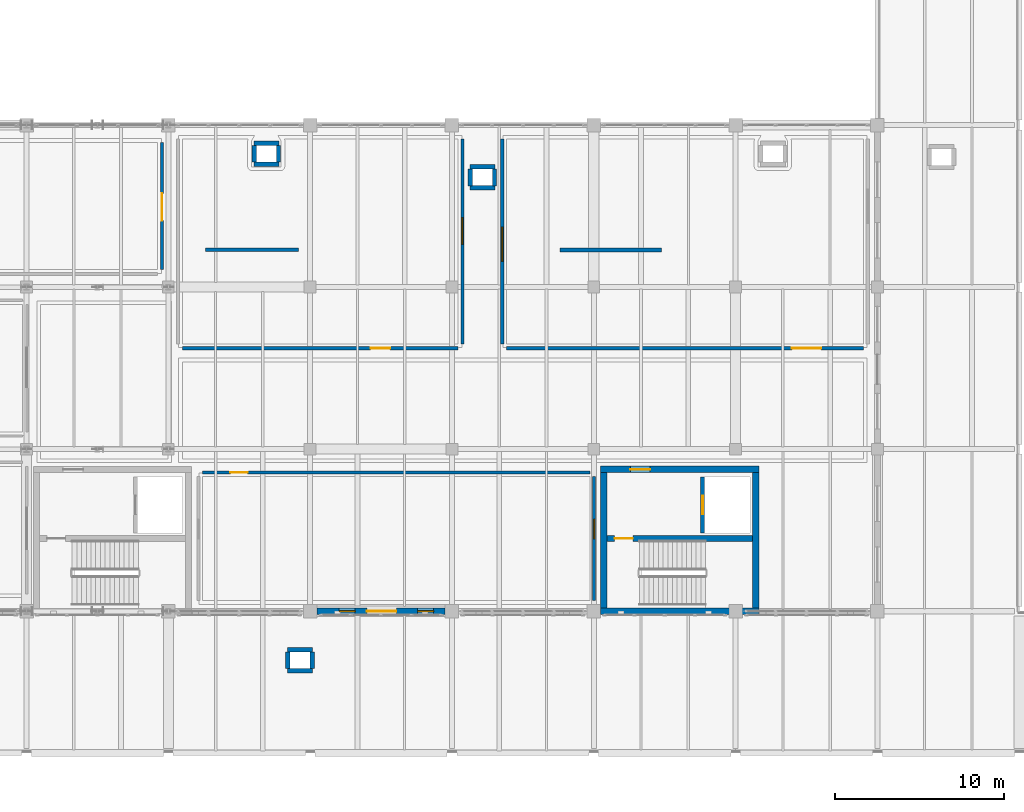
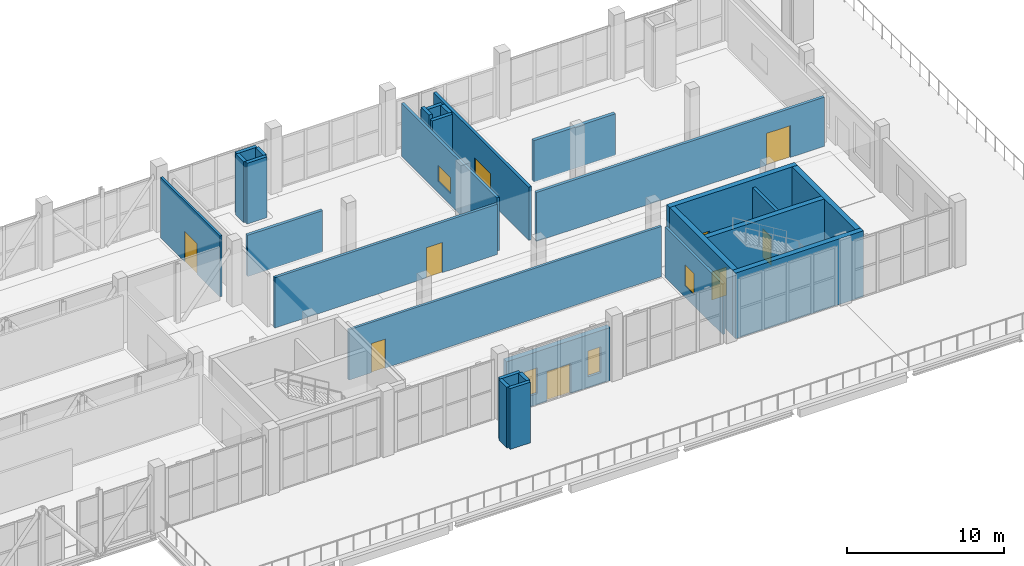
# One storey, part 59 of 77: 28 walls, 8 doors, 5 windows, 13 openings.
"""IFC4 building model written with IfcOpenShell, lengths in metres."""

from ifc_helpers import new_model, si_unit, direction, frame, frame_2d, origin, place, context, subcontext, project, spatial, rectangle, extrude, material, layer, layer_set, type_object, element, fill, save


model = new_model("IFC4")

# Units and contexts
model_context = context("Model", 3, precision=1e-05, world=origin(), true_north=direction((0.0, 1.0)))
body_context = subcontext(model_context, "Body", "Model", "MODEL_VIEW")
ifc_project = project(units=[si_unit("LENGTHUNIT", "METRE"), si_unit("AREAUNIT", "SQUARE_METRE"), si_unit("VOLUMEUNIT", "CUBIC_METRE"), si_unit("PLANEANGLEUNIT", "RADIAN"), si_unit("MASSUNIT", "GRAM", prefix="KILO")], contexts=[model_context])

# Site, building, storey
site_placement = place(None, origin())
site = spatial("IfcSite", under=ifc_project, at=site_placement, CompositionType="ELEMENT")
building_placement = place(site_placement, origin())
building = spatial("IfcBuilding", under=site, at=building_placement, Name="Zulmaris Art Gallery", CompositionType="ELEMENT")
storey_placement = place(building_placement, frame((0.0, 0.0, 15.60009765625)))
storey = spatial("IfcBuildingStorey", under=building, at=storey_placement, Name="L03", CompositionType="ELEMENT", Elevation=15.60009765625)

# Wall, openings, door, windows
ifc_material_1 = material(Name="Omani Desert Rose Limestone Cladding Wall", Category="masonry")
ifc_layer_1 = layer(ifc_material_1, 0.389892578125)
ifc_layer_set_1 = layer_set([ifc_layer_1], Name="Omani Desert Rose Limestone Cladding Wall")
wall_type_1 = type_object("IfcWallType", Name="ENV-WALL-EW02", PredefinedType="SOLIDWALL", material=ifc_layer_set_1)
wall_1_placement = place(storey_placement, frame((57.197998046875, 21.60009765625, 0.0), z_axis=(0.0, 0.0, 1.0), x_axis=(-1.0, 0.0, 0.0)))
wall_1 = element("IfcWall", 1, at=wall_1_placement, inside=storey, type_object=wall_type_1, Name="L03 South Sculpture Terrace Portal Wall", PredefinedType="SOLIDWALL", context=body_context, shape_type="SweptSolid", body=[
    extrude(rectangle(XDim=7.595947265625, YDim=0.389892578125, at=frame_2d((3.7978515625, 0.0))), origin(), (0.0, 0.0, 1.0), 4.10986328125),
])
opening_1_placement = place(wall_1_placement, frame((0.68798828125, 0.0, 0.85009765625)))
opening_1 = element("IfcOpeningElement", 2, at=opening_1_placement, cuts=wall_1, Name="Opening W06", PredefinedType="OPENING", context=body_context, shape_type="SweptSolid", body=[
    extrude(rectangle(XDim=0.949951171875, YDim=2.0, at=frame_2d((0.47509765625, 1.0))), frame((0.0, 0.204833984375, 0.0), z_axis=(0.0, -1.0, 0.0), x_axis=(1.0, 0.0, 0.0)), (0.0, 0.0, 1.0), 0.409912109375),
])
opening_2_placement = place(wall_1_placement, frame((5.337890625, 0.0, 0.85009765625)))
opening_2 = element("IfcOpeningElement", 3, at=opening_2_placement, cuts=wall_1, Name="Opening W06", PredefinedType="OPENING", context=body_context, shape_type="SweptSolid", body=[
    extrude(rectangle(XDim=0.949951171875, YDim=2.0, at=frame_2d((0.47509765625, 1.0))), frame((0.0, 0.204833984375, 0.0), z_axis=(0.0, -1.0, 0.0), x_axis=(1.0, 0.0, 0.0)), (0.0, 0.0, 1.0), 0.409912109375),
])
opening_3_placement = place(wall_1_placement, frame((2.887939453125, 0.0, 0.0)))
opening_3 = element("IfcOpeningElement", 4, at=opening_3_placement, cuts=wall_1, Name="Opening TD01", PredefinedType="OPENING", context=body_context, shape_type="SweptSolid", body=[
    extrude(rectangle(XDim=1.75, YDim=2.300048828125, at=frame_2d((0.875, 1.14990234375))), frame((0.0, 0.204833984375, 0.0), z_axis=(0.0, -1.0, 0.0), x_axis=(1.0, 0.0, 0.0)), (0.0, 0.0, 1.0), 0.409912109375),
])
ifc_material_2 = material(Name="Bronze-Framed Terrace Access Double Door", Category="glass")
door_type_1 = type_object("IfcDoorType", Name="EDOOR-TD01", OperationType="DOUBLE_SWING_LEFT", PredefinedType="DOOR", material=ifc_material_2)
door_1_placement = place(opening_3_placement, origin())
door_1 = element("IfcDoor", 5, at=door_1_placement, inside=storey, type_object=door_type_1, Name="L03 West Sculpture Roof Terrace Access Door", OperationType="DOUBLE_SWING_LEFT", OverallHeight=2.300048828125, OverallWidth=1.75, PredefinedType="DOOR", context=body_context, shape_type="SweptSolid", body=[
    extrude(rectangle(XDim=1.75, YDim=2.300048828125, at=frame_2d((0.875, 1.14990234375))), frame((0.0, 0.02490234375, 0.0), z_axis=(0.0, -1.0, 0.0), x_axis=(1.0, 0.0, 0.0)), (0.0, 0.0, 1.0), 0.050048828125),
])
fill(opening_3, door_1)
ifc_material_3 = material(Name="Art Deco Stepped-Head Pier Window", Category="glass")
window_type_1 = type_object("IfcWindowType", Name="WIN-W06", PartitioningType="SINGLE_PANEL", PredefinedType="WINDOW", material=ifc_material_3)
window_1_placement = place(opening_1_placement, origin())
window_1 = element("IfcWindow", 6, at=window_1_placement, inside=storey, type_object=window_type_1, Name="L03 exterior window W06", OverallHeight=2.0, OverallWidth=0.949951171875, PartitioningType="SINGLE_PANEL", PredefinedType="WINDOW", context=body_context, shape_type="SweptSolid", body=[
    extrude(rectangle(XDim=0.949951171875, YDim=2.0, at=frame_2d((0.47509765625, 1.0))), frame((0.0, 0.030029296875, 0.0), z_axis=(0.0, -1.0, 0.0), x_axis=(1.0, 0.0, 0.0)), (0.0, 0.0, 1.0), 0.06005859375),
])
fill(opening_1, window_1)
window_2_placement = place(opening_2_placement, origin())
window_2 = element("IfcWindow", 7, at=window_2_placement, inside=storey, type_object=window_type_1, Name="L03 exterior window W06", OverallHeight=2.0, OverallWidth=0.949951171875, PartitioningType="SINGLE_PANEL", PredefinedType="WINDOW", context=body_context, shape_type="SweptSolid", body=[
    extrude(rectangle(XDim=0.949951171875, YDim=2.0, at=frame_2d((0.47509765625, 1.0))), frame((0.0, 0.030029296875, 0.0), z_axis=(0.0, -1.0, 0.0), x_axis=(1.0, 0.0, 0.0)), (0.0, 0.0, 1.0), 0.06005859375),
])
fill(opening_2, window_2)

# Walls
ifc_material_4 = material(Name="Freestanding Sculpture Plinth Screen Wall C", Category="timber")
ifc_layer_2 = layer(ifc_material_4, 0.2119140625)
ifc_layer_set_2 = layer_set([ifc_layer_2], Name="Freestanding Sculpture Plinth Screen Wall C")
wall_type_2 = type_object("IfcWallType", Name="IWALL-MW03", PredefinedType="MOVABLE", material=ifc_layer_set_2)
wall_2_placement = place(storey_placement, frame((43.0, 43.0, 0.0), z_axis=(0.0, 0.0, 1.0), x_axis=(1.0, 0.0, 0.0)))
element("IfcWall", 8, at=wall_2_placement, inside=storey, type_object=wall_type_2, Name="L03 Movable Gallery Display Wall 15", PredefinedType="MOVABLE", context=body_context, shape_type="SweptSolid", body=[
    extrude(rectangle(XDim=5.5, YDim=0.2119140625, at=frame_2d((2.75, 0.0))), origin(), (0.0, 0.0, 1.0), 3.199951171875),
])
ifc_material_5 = material(Name="Pivoting Double-Sided Canvas Display Wall D", Category="timber")
ifc_layer_3 = layer(ifc_material_5, 0.248046875)
ifc_layer_set_3 = layer_set([ifc_layer_3], Name="Pivoting Double-Sided Canvas Display Wall D")
wall_type_3 = type_object("IfcWallType", Name="IWALL-MW04", PredefinedType="MOVABLE", material=ifc_layer_set_3)
wall_3_placement = place(storey_placement, frame((64.0, 43.0, 0.0), z_axis=(0.0, 0.0, 1.0), x_axis=(1.0, 0.0, 0.0)))
element("IfcWall", 9, at=wall_3_placement, inside=storey, type_object=wall_type_3, Name="L03 Movable Gallery Display Wall 16", PredefinedType="MOVABLE", context=body_context, shape_type="SweptSolid", body=[
    extrude(rectangle(XDim=6.0, YDim=0.248046875, at=frame_2d((3.0, 0.0))), origin(), (0.0, 0.0, 1.0), 3.199951171875),
])

# Wall, opening, door
ifc_material_6 = material(Name="Timber-Backed Heavy Artwork Display Partition", Category="wood")
ifc_layer_4 = layer(ifc_material_6, 0.159912109375)
ifc_layer_set_4 = layer_set([ifc_layer_4], Name="Timber-Backed Heavy Artwork Display Partition")
wall_type_4 = type_object("IfcWallType", Name="IWALL-PW05", PredefinedType="PARTITIONING", material=ifc_layer_set_4)
wall_4_placement = place(storey_placement, frame((40.419921875, 41.830078125, 0.0), z_axis=(0.0, 0.0, 1.0), x_axis=(0.0, 1.0, 0.0)))
wall_4 = element("IfcWall", 10, at=wall_4_placement, inside=storey, type_object=wall_type_4, Name="Cantilever North Light Gallery E partition", PredefinedType="PARTITIONING", context=body_context, shape_type="SweptSolid", body=[
    extrude(rectangle(XDim=7.5400390625, YDim=0.159912109375, at=frame_2d((3.77001953125, 0.0))), origin(), (0.0, 0.0, 1.0), 4.719970703125),
])
opening_4_placement = place(wall_4_placement, frame((2.89990234375, 0.0, 0.0)))
opening_4 = element("IfcOpeningElement", 11, at=opening_4_placement, cuts=wall_4, Name="Opening D22", PredefinedType="OPENING", context=body_context, shape_type="SweptSolid", body=[
    extrude(rectangle(XDim=1.6201171875, YDim=2.3798828125, at=frame_2d((0.81005859375, 1.18994140625))), frame((0.0, 0.08984375, 0.0), z_axis=(0.0, -1.0, 0.0), x_axis=(1.0, 0.0, 0.0)), (0.0, 0.0, 1.0), 0.179931640625),
])
ifc_material_7 = material(Name="Archive Vault Vestibule Door", Category="steel")
door_type_2 = type_object("IfcDoorType", Name="IDOOR-D22", OperationType="DOUBLE_SWING_RIGHT", PredefinedType="DOOR", material=ifc_material_7)
door_2_placement = place(opening_4_placement, origin())
door_2 = element("IfcDoor", 12, at=door_2_placement, inside=storey, type_object=door_type_2, Name="Cantilever North Light Gallery Door", OperationType="DOUBLE_SWING_RIGHT", OverallHeight=2.3798828125, OverallWidth=1.6201171875, PredefinedType="DOOR", context=body_context, shape_type="SweptSolid", body=[
    extrude(rectangle(XDim=1.6201171875, YDim=2.3798828125, at=frame_2d((0.81005859375, 1.18994140625))), frame((0.0, 0.02490234375, 0.0), z_axis=(0.0, -1.0, 0.0), x_axis=(1.0, 0.0, 0.0)), (0.0, 0.0, 1.0), 0.050048828125),
])
fill(opening_4, door_2)

ifc_material_8 = material(Name="Acoustic Studio Separation Partition", Category="gypsum")
ifc_layer_5 = layer(ifc_material_8, 0.175048828125)
ifc_layer_set_5 = layer_set([ifc_layer_5], Name="Acoustic Studio Separation Partition")
wall_type_5 = type_object("IfcWallType", Name="IWALL-PW06", PredefinedType="PARTITIONING", material=ifc_layer_set_5)
wall_5_placement = place(storey_placement, frame((42.830078125, 29.820068359375, 0.0), z_axis=(0.0, 0.0, 1.0), x_axis=(1.0, 0.0, 0.0)))
wall_5 = element("IfcWall", 13, at=wall_5_placement, inside=storey, type_object=wall_type_5, Name="Contemporary Sculpture & Light Gallery N partition", PredefinedType="PARTITIONING", context=body_context, shape_type="SweptSolid", body=[
    extrude(rectangle(XDim=22.93994140625, YDim=0.175048828125, at=frame_2d((11.469970703125, 0.0))), origin(), (0.0, 0.0, 1.0), 3.909912109375),
])
opening_5_placement = place(wall_5_placement, frame((1.64990234375, 0.0, 0.0)))
opening_5 = element("IfcOpeningElement", 14, at=opening_5_placement, cuts=wall_5, Name="Opening D23", PredefinedType="OPENING", context=body_context, shape_type="SweptSolid", body=[
    extrude(rectangle(XDim=1.02001953125, YDim=2.260009765625, at=frame_2d((0.510009765625, 1.1298828125))), frame((0.0, 0.097412109375, 0.0), z_axis=(0.0, -1.0, 0.0), x_axis=(1.0, 0.0, 0.0)), (0.0, 0.0, 1.0), 0.195068359375),
])
ifc_material_9 = material(Name="Green Room Performer Door", Category="timber")
door_type_3 = type_object("IfcDoorType", Name="IDOOR-D23", OperationType="NOTDEFINED", PredefinedType="DOOR", material=ifc_material_9)
door_3_placement = place(opening_5_placement, origin())
door_3 = element("IfcDoor", 15, at=door_3_placement, inside=storey, type_object=door_type_3, Name="Contemporary Sculpture & Light Gallery Door", OperationType="SINGLE_SWING_LEFT", OverallHeight=2.260009765625, OverallWidth=1.02001953125, PredefinedType="DOOR", context=body_context, shape_type="SweptSolid", body=[
    extrude(rectangle(XDim=1.02001953125, YDim=2.260009765625, at=frame_2d((0.510009765625, 1.1298828125))), frame((0.0, 0.02490234375, 0.0), z_axis=(0.0, -1.0, 0.0), x_axis=(1.0, 0.0, 0.0)), (0.0, 0.0, 1.0), 0.050048828125),
])
fill(opening_5, door_3)

# Wall, opening, window
wall_6_placement = place(storey_placement, frame((66.02001953125, 22.22998046875, 0.0), z_axis=(0.0, 0.0, 1.0), x_axis=(0.0, 1.0, 0.0)))
wall_6 = element("IfcWall", 16, at=wall_6_placement, inside=storey, type_object=wall_type_5, Name="Contemporary Sculpture & Light Gallery E partition", PredefinedType="PARTITIONING", context=body_context, shape_type="SweptSolid", body=[
    extrude(rectangle(XDim=7.340087890625, YDim=0.175048828125, at=frame_2d((3.669921875, 0.0))), origin(), (0.0, 0.0, 1.0), 3.909912109375),
])
opening_6_placement = place(wall_6_placement, frame((3.64990234375, 0.0, 0.89990234375)))
opening_6 = element("IfcOpeningElement", 17, at=opening_6_placement, cuts=wall_6, Name="Opening IW08", PredefinedType="OPENING", context=body_context, shape_type="SweptSolid", body=[
    extrude(rectangle(XDim=1.159912109375, YDim=1.6201171875, at=frame_2d((0.580078125, 0.81005859375))), frame((0.0, 0.097412109375, 0.0), z_axis=(0.0, -1.0, 0.0), x_axis=(1.0, 0.0, 0.0)), (0.0, 0.0, 1.0), 0.195068359375),
])
ifc_material_10 = material(Name="Foyer Cloakroom Counter Glazing", Category="glass")
window_type_2 = type_object("IfcWindowType", Name="IWIN-IW08", PartitioningType="SINGLE_PANEL", PredefinedType="WINDOW", material=ifc_material_10)
window_3_placement = place(opening_6_placement, origin())
window_3 = element("IfcWindow", 18, at=window_3_placement, inside=storey, type_object=window_type_2, Name="L03 interior observation window IW08", OverallHeight=1.6201171875, OverallWidth=1.159912109375, PartitioningType="SINGLE_PANEL", PredefinedType="WINDOW", context=body_context, shape_type="SweptSolid", body=[
    extrude(rectangle(XDim=1.159912109375, YDim=1.6201171875, at=frame_2d((0.580078125, 0.81005859375))), frame((0.0, 0.030029296875, 0.0), z_axis=(0.0, -1.0, 0.0), x_axis=(1.0, 0.0, 0.0)), (0.0, 0.0, 1.0), 0.06005859375),
])
fill(opening_6, window_3)

# Wall, opening, door
ifc_material_11 = material(Name="Conservation Laboratory Partition", Category="masonry")
ifc_layer_6 = layer(ifc_material_11, 0.18994140625)
ifc_layer_set_6 = layer_set([ifc_layer_6], Name="Conservation Laboratory Partition")
wall_type_6 = type_object("IfcWallType", Name="IWALL-PW07", PredefinedType="PARTITIONING", material=ifc_layer_set_6)
wall_7_placement = place(storey_placement, frame((41.6298828125, 37.179931640625, 0.0), z_axis=(0.0, 0.0, 1.0), x_axis=(1.0, 0.0, 0.0)))
wall_7 = element("IfcWall", 19, at=wall_7_placement, inside=storey, type_object=wall_type_6, Name="International Loan Exhibition Gallery S partition", PredefinedType="PARTITIONING", context=body_context, shape_type="SweptSolid", body=[
    extrude(rectangle(XDim=16.340087890625, YDim=0.18994140625, at=frame_2d((8.169921875, 0.0))), origin(), (0.0, 0.0, 1.0), 3.909912109375),
])
opening_7_placement = place(wall_7_placement, frame((11.14990234375, 0.0, 0.0)))
opening_7 = element("IfcOpeningElement", 20, at=opening_7_placement, cuts=wall_7, Name="Opening D24", PredefinedType="OPENING", context=body_context, shape_type="SweptSolid", body=[
    extrude(rectangle(XDim=1.159912109375, YDim=2.340087890625, at=frame_2d((0.580078125, 1.169921875))), frame((0.0, 0.10498046875, 0.0), z_axis=(0.0, -1.0, 0.0), x_axis=(1.0, 0.0, 0.0)), (0.0, 0.0, 1.0), 0.2099609375),
])
ifc_material_12 = material(Name="Darkroom Light-Lock Door", Category="steel")
door_type_4 = type_object("IfcDoorType", Name="IDOOR-D24", OperationType="NOTDEFINED", PredefinedType="DOOR", material=ifc_material_12)
door_4_placement = place(opening_7_placement, origin())
door_4 = element("IfcDoor", 21, at=door_4_placement, inside=storey, type_object=door_type_4, Name="International Loan Exhibition Gallery Door", OperationType="SINGLE_SWING_RIGHT", OverallHeight=2.340087890625, OverallWidth=1.159912109375, PredefinedType="DOOR", context=body_context, shape_type="SweptSolid", body=[
    extrude(rectangle(XDim=1.159912109375, YDim=2.340087890625, at=frame_2d((0.580078125, 1.169921875))), frame((0.0, 0.02490234375, 0.0), z_axis=(0.0, -1.0, 0.0), x_axis=(1.0, 0.0, 0.0)), (0.0, 0.0, 1.0), 0.050048828125),
])
fill(opening_7, door_4)

# Wall, opening, window
wall_8_placement = place(storey_placement, frame((58.219970703125, 37.429931640625, 0.0), z_axis=(0.0, 0.0, 1.0), x_axis=(0.0, 1.0, 0.0)))
wall_8 = element("IfcWall", 22, at=wall_8_placement, inside=storey, type_object=wall_type_6, Name="International Loan Exhibition Gallery E partition", PredefinedType="PARTITIONING", context=body_context, shape_type="SweptSolid", body=[
    extrude(rectangle(XDim=12.14013671875, YDim=0.18994140625, at=frame_2d((6.070068359375, 0.0))), origin(), (0.0, 0.0, 1.0), 4.119873046875),
])
opening_8_placement = place(wall_8_placement, frame((5.89990234375, 0.0, 0.89990234375)))
opening_8 = element("IfcOpeningElement", 23, at=opening_8_placement, cuts=wall_8, Name="Opening IW09", PredefinedType="OPENING", context=body_context, shape_type="SweptSolid", body=[
    extrude(rectangle(XDim=1.580078125, YDim=1.239990234375, at=frame_2d((0.7900390625, 0.6201171875))), frame((0.0, 0.10498046875, 0.0), z_axis=(0.0, -1.0, 0.0), x_axis=(1.0, 0.0, 0.0)), (0.0, 0.0, 1.0), 0.2099609375),
])
ifc_material_13 = material(Name="Registrar Inspection Glazing", Category="glass")
window_type_3 = type_object("IfcWindowType", Name="IWIN-IW09", PartitioningType="SINGLE_PANEL", PredefinedType="WINDOW", material=ifc_material_13)
window_4_placement = place(opening_8_placement, origin())
window_4 = element("IfcWindow", 24, at=window_4_placement, inside=storey, type_object=window_type_3, Name="L03 interior observation window IW09", OverallHeight=1.239990234375, OverallWidth=1.580078125, PartitioningType="SINGLE_PANEL", PredefinedType="WINDOW", context=body_context, shape_type="SweptSolid", body=[
    extrude(rectangle(XDim=1.580078125, YDim=1.239990234375, at=frame_2d((0.7900390625, 0.6201171875))), frame((0.0, 0.030029296875, 0.0), z_axis=(0.0, -1.0, 0.0), x_axis=(1.0, 0.0, 0.0)), (0.0, 0.0, 1.0), 0.06005859375),
])
fill(opening_8, window_4)

# Wall, opening, door
ifc_material_14 = material(Name="Fire-Rated Corridor Compartment Wall", Category="masonry")
ifc_layer_7 = layer(ifc_material_14, 0.205078125)
ifc_layer_set_7 = layer_set([ifc_layer_7], Name="Fire-Rated Corridor Compartment Wall")
wall_type_7 = type_object("IfcWallType", Name="IWALL-PW08", PredefinedType="PARTITIONING", material=ifc_layer_set_7)
wall_9_placement = place(storey_placement, frame((60.830078125, 37.179931640625, 0.0), z_axis=(0.0, 0.0, 1.0), x_axis=(1.0, 0.0, 0.0)))
wall_9 = element("IfcWall", 25, at=wall_9_placement, inside=storey, type_object=wall_type_7, Name="Sculpture Terrace Foyer & Bar S partition", PredefinedType="PARTITIONING", context=body_context, shape_type="SweptSolid", body=[
    extrude(rectangle(XDim=21.139892578125, YDim=0.205078125, at=frame_2d((10.56982421875, 0.0))), origin(), (0.0, 0.0, 1.0), 3.809814453125),
])
opening_9_placement = place(wall_9_placement, frame((16.89990234375, 0.0, 0.0)))
opening_9 = element("IfcOpeningElement", 26, at=opening_9_placement, cuts=wall_9, Name="Opening D25", PredefinedType="OPENING", context=body_context, shape_type="SweptSolid", body=[
    extrude(rectangle(XDim=1.739990234375, YDim=2.47998046875, at=frame_2d((0.8701171875, 1.239990234375))), frame((0.0, 0.112548828125, 0.0), z_axis=(0.0, -1.0, 0.0), x_axis=(1.0, 0.0, 0.0)), (0.0, 0.0, 1.0), 0.22509765625),
])
ifc_material_15 = material(Name="Cafe & Kitchen Service Double Door", Category="timber")
door_type_5 = type_object("IfcDoorType", Name="IDOOR-D25", OperationType="DOUBLE_SWING_LEFT", PredefinedType="DOOR", material=ifc_material_15)
door_5_placement = place(opening_9_placement, origin())
door_5 = element("IfcDoor", 27, at=door_5_placement, inside=storey, type_object=door_type_5, Name="Sculpture Terrace Foyer & Bar Door", OperationType="DOUBLE_SWING_LEFT", OverallHeight=2.47998046875, OverallWidth=1.739990234375, PredefinedType="DOOR", context=body_context, shape_type="SweptSolid", body=[
    extrude(rectangle(XDim=1.739990234375, YDim=2.47998046875, at=frame_2d((0.8701171875, 1.239990234375))), frame((0.0, 0.02490234375, 0.0), z_axis=(0.0, -1.0, 0.0), x_axis=(1.0, 0.0, 0.0)), (0.0, 0.0, 1.0), 0.050048828125),
])
fill(opening_9, door_5)

# Wall, opening, window
wall_10_placement = place(storey_placement, frame((60.580078125, 37.429931640625, 0.0), z_axis=(0.0, 0.0, 1.0), x_axis=(0.0, 1.0, 0.0)))
wall_10 = element("IfcWall", 28, at=wall_10_placement, inside=storey, type_object=wall_type_7, Name="Sculpture Terrace Foyer & Bar W partition", PredefinedType="PARTITIONING", context=body_context, shape_type="SweptSolid", body=[
    extrude(rectangle(XDim=12.14013671875, YDim=0.205078125, at=frame_2d((6.070068359375, 0.0))), origin(), (0.0, 0.0, 1.0), 4.119873046875),
])
opening_10_placement = place(wall_10_placement, frame((4.89990234375, 0.0, 0.89990234375)))
opening_10 = element("IfcOpeningElement", 29, at=opening_10_placement, cuts=wall_10, Name="Opening IW10", PredefinedType="OPENING", context=body_context, shape_type="SweptSolid", body=[
    extrude(rectangle(XDim=2.02001953125, YDim=1.320068359375, at=frame_2d((1.010009765625, 0.66015625))), frame((0.0, 0.112548828125, 0.0), z_axis=(0.0, -1.0, 0.0), x_axis=(1.0, 0.0, 0.0)), (0.0, 0.0, 1.0), 0.22509765625),
])
ifc_material_16 = material(Name="Seminar Acoustic Viewing Window", Category="glass")
window_type_4 = type_object("IfcWindowType", Name="IWIN-IW10", PartitioningType="SINGLE_PANEL", PredefinedType="WINDOW", material=ifc_material_16)
window_5_placement = place(opening_10_placement, origin())
window_5 = element("IfcWindow", 30, at=window_5_placement, inside=storey, type_object=window_type_4, Name="L03 interior observation window IW10", OverallHeight=1.320068359375, OverallWidth=2.02001953125, PartitioningType="SINGLE_PANEL", PredefinedType="WINDOW", context=body_context, shape_type="SweptSolid", body=[
    extrude(rectangle(XDim=2.02001953125, YDim=1.320068359375, at=frame_2d((1.010009765625, 0.66015625))), frame((0.0, 0.030029296875, 0.0), z_axis=(0.0, -1.0, 0.0), x_axis=(1.0, 0.0, 0.0)), (0.0, 0.0, 1.0), 0.06005859375),
])
fill(opening_10, window_5)

# Wall, opening, door
ifc_material_17 = material(Name="Core Lobby Fire-Resisting Masonry Wall", Category="masonry")
ifc_layer_8 = layer(ifc_material_17, 0.235107421875)
ifc_layer_set_8 = layer_set([ifc_layer_8], Name="Core Lobby Fire-Resisting Masonry Wall")
wall_type_8 = type_object("IfcWallType", Name="IWALL-PW10", PredefinedType="PARTITIONING", material=ifc_layer_set_8)
wall_11_placement = place(storey_placement, frame((72.449951171875, 26.219970703125, 0.0), z_axis=(0.0, 0.0, 1.0), x_axis=(0.0, 1.0, 0.0)))
wall_11 = element("IfcWall", 31, at=wall_11_placement, inside=storey, type_object=wall_type_8, Name="LF-P2 L03 lift shaft front wall", PredefinedType="PARTITIONING", context=body_context, shape_type="SweptSolid", body=[
    extrude(rectangle(XDim=3.330078125, YDim=0.235107421875, at=frame_2d((1.6650390625, 0.0))), origin(), (0.0, 0.0, 1.0), 4.719970703125),
])
opening_11_placement = place(wall_11_placement, frame((1.114990234375, 0.0, 0.0)))
opening_11 = element("IfcOpeningElement", 32, at=opening_11_placement, cuts=wall_11, Name="Opening LD01", PredefinedType="OPENING", context=body_context, shape_type="SweptSolid", body=[
    extrude(rectangle(XDim=1.10009765625, YDim=2.199951171875, at=frame_2d((0.550048828125, 1.10009765625))), frame((0.0, 0.12744140625, 0.0), z_axis=(0.0, -1.0, 0.0), x_axis=(1.0, 0.0, 0.0)), (0.0, 0.0, 1.0), 0.255126953125),
])
ifc_material_18 = material(Name="Passenger Lift Sliding Landing Door", Category="steel")
door_type_6 = type_object("IfcDoorType", Name="IDOOR-LD01", OperationType="SLIDING_TO_LEFT", PredefinedType="DOOR", material=ifc_material_18)
door_6_placement = place(opening_11_placement, origin())
door_6 = element("IfcDoor", 33, at=door_6_placement, inside=storey, type_object=door_type_6, Name="LF-P2 L03 Lift Landing Sliding Door", OperationType="SLIDING_TO_LEFT", OverallHeight=2.199951171875, OverallWidth=1.10009765625, PredefinedType="DOOR", context=body_context, shape_type="SweptSolid", body=[
    extrude(rectangle(XDim=1.10009765625, YDim=2.199951171875, at=frame_2d((0.550048828125, 1.10009765625))), frame((0.0, 0.02490234375, 0.0), z_axis=(0.0, -1.0, 0.0), x_axis=(1.0, 0.0, 0.0)), (0.0, 0.0, 1.0), 0.050048828125),
])
fill(opening_11, door_6)

# Walls
ifc_material_19 = material(Name="MEP Riser & Smoke Shaft Enclosure Wall", Category="masonry")
ifc_layer_9 = layer(ifc_material_19, 0.2548828125)
ifc_layer_set_9 = layer_set([ifc_layer_9], Name="MEP Riser & Smoke Shaft Enclosure Wall")
wall_type_9 = type_object("IfcWallType", Name="IWALL-PW11", PredefinedType="PARTITIONING", material=ifc_layer_set_9)
for number, where, z_axis, x_axis, name in (
    (34, (45.860107421875, 49.320068359375, 0.0), (0.0, 0.0, 1.0), (1.0, 0.0, 0.0), "L03 MEP Riser 1 N wall"),
    (35, (45.860107421875, 48.080078125, 0.0), (0.0, 0.0, 1.0), (1.0, 0.0, 0.0), "L03 MEP Riser 1 S wall"),
):
    element("IfcWall", number, at=place(storey_placement, frame(where, z_axis=z_axis, x_axis=x_axis)), inside=storey, type_object=wall_type_9, Name=name, PredefinedType="PARTITIONING", context=body_context, shape_type="SweptSolid", body=[
        extrude(rectangle(XDim=1.47998046875, YDim=0.2548828125, at=frame_2d((0.739990234375, 0.0))), origin(), (0.0, 0.0, 1.0), 4.719970703125),
    ])
for number, where, z_axis, x_axis, name in (
    (36, (45.8798828125, 48.199951171875, 0.0), (0.0, 0.0, 1.0), (0.0, 1.0, 0.0), "L03 MEP Riser 1 W wall"),
    (37, (47.320068359375, 48.199951171875, 0.0), (0.0, 0.0, 1.0), (0.0, 1.0, 0.0), "L03 MEP Riser 1 E wall"),
):
    element("IfcWall", number, at=place(storey_placement, frame(where, z_axis=z_axis, x_axis=x_axis)), inside=storey, type_object=wall_type_9, Name=name, PredefinedType="PARTITIONING", context=body_context, shape_type="SweptSolid", body=[
        extrude(rectangle(XDim=1.0, YDim=0.2548828125, at=frame_2d((0.5, 0.0))), origin(), (0.0, 0.0, 1.0), 4.719970703125),
    ])
for number, where, z_axis, x_axis, name in (
    (38, (58.659912109375, 47.919921875, 0.0), (0.0, 0.0, 1.0), (1.0, 0.0, 0.0), "L03 MEP Riser 2 N wall"),
    (39, (58.659912109375, 46.679931640625, 0.0), (0.0, 0.0, 1.0), (1.0, 0.0, 0.0), "L03 MEP Riser 2 S wall"),
):
    element("IfcWall", number, at=place(storey_placement, frame(where, z_axis=z_axis, x_axis=x_axis)), inside=storey, type_object=wall_type_9, Name=name, PredefinedType="PARTITIONING", context=body_context, shape_type="SweptSolid", body=[
        extrude(rectangle(XDim=1.47998046875, YDim=0.2548828125, at=frame_2d((0.739990234375, 0.0))), origin(), (0.0, 0.0, 1.0), 4.3798828125),
    ])
wall_12_placement = place(storey_placement, frame((58.679931640625, 46.800048828125, 0.0), z_axis=(0.0, 0.0, 1.0), x_axis=(0.0, 1.0, 0.0)))
element("IfcWall", 40, at=wall_12_placement, inside=storey, type_object=wall_type_9, Name="L03 MEP Riser 2 W wall", PredefinedType="PARTITIONING", context=body_context, shape_type="SweptSolid", body=[
    extrude(rectangle(XDim=1.0, YDim=0.2548828125, at=frame_2d((0.5, 0.0))), origin(), (0.0, 0.0, 1.0), 4.719970703125),
])
wall_13_placement = place(storey_placement, frame((60.1201171875, 46.800048828125, 0.0), z_axis=(0.0, 0.0, 1.0), x_axis=(0.0, 1.0, 0.0)))
element("IfcWall", 41, at=wall_13_placement, inside=storey, type_object=wall_type_9, Name="L03 MEP Riser 2 E wall", PredefinedType="PARTITIONING", context=body_context, shape_type="SweptSolid", body=[
    extrude(rectangle(XDim=1.0, YDim=0.2548828125, at=frame_2d((0.5, 0.0))), origin(), (0.0, 0.0, 1.0), 4.3798828125),
])
for number, where, z_axis, x_axis, name in (
    (42, (47.860107421875, 19.320068359375, 0.0), (0.0, 0.0, 1.0), (1.0, 0.0, 0.0), "L03 MEP Riser 4 N wall"),
    (43, (47.860107421875, 18.080078125, 0.0), (0.0, 0.0, 1.0), (1.0, 0.0, 0.0), "L03 MEP Riser 4 S wall"),
):
    element("IfcWall", number, at=place(storey_placement, frame(where, z_axis=z_axis, x_axis=x_axis)), inside=storey, type_object=wall_type_9, Name=name, PredefinedType="PARTITIONING", context=body_context, shape_type="SweptSolid", body=[
        extrude(rectangle(XDim=1.47998046875, YDim=0.2548828125, at=frame_2d((0.739990234375, 0.0))), origin(), (0.0, 0.0, 1.0), 4.719970703125),
    ])
for number, where, z_axis, x_axis, name in (
    (44, (47.8798828125, 18.199951171875, 0.0), (0.0, 0.0, 1.0), (0.0, 1.0, 0.0), "L03 MEP Riser 4 W wall"),
    (45, (49.320068359375, 18.199951171875, 0.0), (0.0, 0.0, 1.0), (0.0, 1.0, 0.0), "L03 MEP Riser 4 E wall"),
):
    element("IfcWall", number, at=place(storey_placement, frame(where, z_axis=z_axis, x_axis=x_axis)), inside=storey, type_object=wall_type_9, Name=name, PredefinedType="PARTITIONING", context=body_context, shape_type="SweptSolid", body=[
        extrude(rectangle(XDim=1.0, YDim=0.2548828125, at=frame_2d((0.5, 0.0))), origin(), (0.0, 0.0, 1.0), 4.719970703125),
    ])
ifc_material_20 = material(Name="Concrete C50/60", Category="concrete")
ifc_layer_10 = layer(ifc_material_20, 0.3798828125)
ifc_layer_set_10 = layer_set([ifc_layer_10], Name="Concrete C50/60")
wall_type_10 = type_object("IfcWallType", Name="STR-WALL-SW02", PredefinedType="SHEAR", material=ifc_layer_set_10)
wall_14_placement = place(storey_placement, frame((66.409912109375, 21.60009765625, 0.0), z_axis=(0.0, 0.0, 1.0), x_axis=(1.0, 0.0, 0.0)))
element("IfcWall", 46, at=wall_14_placement, inside=storey, type_object=wall_type_10, Name="Core C2 L03 S shear wall", PredefinedType="SHEAR", context=body_context, shape_type="SweptSolid", body=[
    extrude(rectangle(XDim=9.380126953125, YDim=0.3798828125, at=frame_2d((4.68994140625, 0.0))), origin(), (0.0, 0.0, 1.0), 5.099853515625),
])

# Wall, opening, door
wall_15_placement = place(storey_placement, frame((66.409912109375, 30.0, 0.0), z_axis=(0.0, 0.0, 1.0), x_axis=(1.0, 0.0, 0.0)))
wall_15 = element("IfcWall", 47, at=wall_15_placement, inside=storey, type_object=wall_type_10, Name="Core C2 L03 N shear wall", PredefinedType="SHEAR", context=body_context, shape_type="SweptSolid", body=[
    extrude(rectangle(XDim=9.380126953125, YDim=0.3798828125, at=frame_2d((4.68994140625, 0.0))), origin(), (0.0, 0.0, 1.0), 5.099853515625),
])
opening_12_placement = place(wall_15_placement, frame((1.75, 0.0, 0.0)))
opening_12 = element("IfcOpeningElement", 48, at=opening_12_placement, cuts=wall_15, Name="Opening D08", PredefinedType="OPENING", context=body_context, shape_type="SweptSolid", body=[
    extrude(rectangle(XDim=1.179931640625, YDim=2.239990234375, at=frame_2d((0.58984375, 1.1201171875))), frame((0.0, 0.199951171875, 0.0), z_axis=(0.0, -1.0, 0.0), x_axis=(1.0, 0.0, 0.0)), (0.0, 0.0, 1.0), 0.39990234375),
])
ifc_material_21 = material(Name="Firefighting Lobby Compartment Door", Category="steel")
door_type_7 = type_object("IfcDoorType", Name="IDOOR-D08", OperationType="NOTDEFINED", PredefinedType="DOOR", material=ifc_material_21)
door_7_placement = place(opening_12_placement, origin())
door_7 = element("IfcDoor", 49, at=door_7_placement, inside=storey, type_object=door_type_7, Name="Core C2 L03 Lobby Compartment Door", OperationType="SINGLE_SWING_RIGHT", OverallHeight=2.239990234375, OverallWidth=1.179931640625, PredefinedType="DOOR", context=body_context, shape_type="SweptSolid", body=[
    extrude(rectangle(XDim=1.179931640625, YDim=2.239990234375, at=frame_2d((0.58984375, 1.1201171875))), frame((0.0, 0.02490234375, 0.0), z_axis=(0.0, -1.0, 0.0), x_axis=(1.0, 0.0, 0.0)), (0.0, 0.0, 1.0), 0.050048828125),
])
fill(opening_12, door_7)

# Walls
for number, where, z_axis, x_axis, name in (
    (50, (66.60009765625, 21.7900390625, 0.0), (0.0, 0.0, 1.0), (0.0, 1.0, 0.0), "Core C2 L03 W shear wall"),
    (51, (75.60009765625, 21.7900390625, 0.0), (0.0, 0.0, 1.0), (0.0, 1.0, 0.0), "Core C2 L03 E shear wall"),
):
    element("IfcWall", number, at=place(storey_placement, frame(where, z_axis=z_axis, x_axis=x_axis)), inside=storey, type_object=wall_type_10, Name=name, PredefinedType="SHEAR", context=body_context, shape_type="SweptSolid", body=[
        extrude(rectangle(XDim=8.02001953125, YDim=0.3798828125, at=frame_2d((4.010009765625, 0.0))), origin(), (0.0, 0.0, 1.0), 5.099853515625),
    ])

# Wall, opening, door
wall_16_placement = place(storey_placement, frame((66.7900390625, 25.909912109375, 0.0), z_axis=(0.0, 0.0, 1.0), x_axis=(1.0, 0.0, 0.0)))
wall_16 = element("IfcWall", 52, at=wall_16_placement, inside=storey, type_object=wall_type_10, Name="Core C2 L03 DIV shear wall", PredefinedType="SHEAR", context=body_context, shape_type="SweptSolid", body=[
    extrude(rectangle(XDim=8.619873046875, YDim=0.3798828125, at=frame_2d((4.31005859375, 0.0))), origin(), (0.0, 0.0, 1.0), 5.099853515625),
])
opening_13_placement = place(wall_16_placement, frame((0.449951171875, 0.0, 0.0)))
opening_13 = element("IfcOpeningElement", 53, at=opening_13_placement, cuts=wall_16, Name="Opening D07", PredefinedType="OPENING", context=body_context, shape_type="SweptSolid", body=[
    extrude(rectangle(XDim=1.080078125, YDim=2.179931640625, at=frame_2d((0.5400390625, 1.08984375))), frame((0.0, 0.199951171875, 0.0), z_axis=(0.0, -1.0, 0.0), x_axis=(1.0, 0.0, 0.0)), (0.0, 0.0, 1.0), 0.39990234375),
])
ifc_material_22 = material(Name="Stairwell Fire Escape Door", Category="steel")
door_type_8 = type_object("IfcDoorType", Name="IDOOR-D07", OperationType="NOTDEFINED", PredefinedType="DOOR", material=ifc_material_22)
door_8_placement = place(opening_13_placement, origin())
door_8 = element("IfcDoor", 54, at=door_8_placement, inside=storey, type_object=door_type_8, Name="Core C2 L03 Stair ST2 Fire Door", OperationType="SINGLE_SWING_LEFT", OverallHeight=2.179931640625, OverallWidth=1.080078125, PredefinedType="DOOR", context=body_context, shape_type="SweptSolid", body=[
    extrude(rectangle(XDim=1.080078125, YDim=2.179931640625, at=frame_2d((0.5400390625, 1.08984375))), frame((0.0, 0.02490234375, 0.0), z_axis=(0.0, -1.0, 0.0), x_axis=(1.0, 0.0, 0.0)), (0.0, 0.0, 1.0), 0.050048828125),
])
fill(opening_13, door_8)

save(model, "model.ifc")
